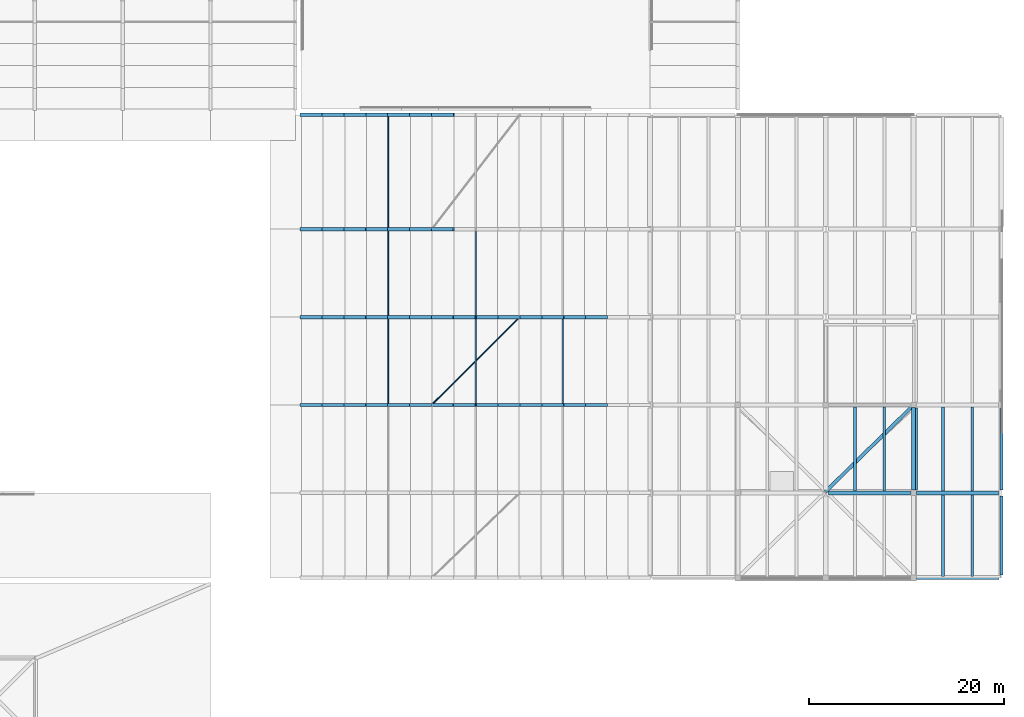
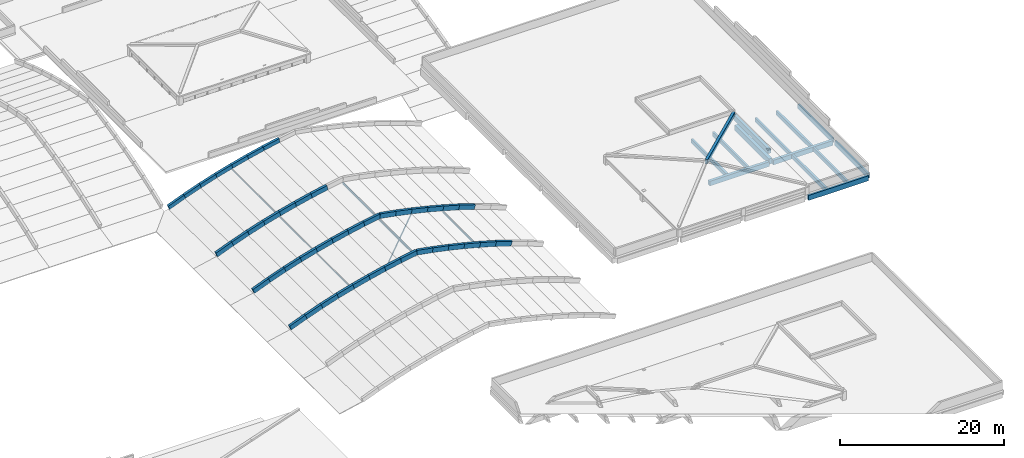
# One storey, part 31 of 56: 56 beams, 7 members.
"""IFC4 building model written with IfcOpenShell, lengths in metres."""

from ifc_helpers import new_model, si_unit, direction, frame, origin, origin_2d, place, context, subcontext, project, spatial, rectangle, hollow_rectangle, hollow_circle, i_section, extrude, material, material_profile, profile_set, type_object, element, save


model = new_model("IFC4")

# Units and contexts
model_context = context("Model", 3, precision=1e-05, world=origin(), true_north=direction((0.0, 1.0)))
body_context = subcontext(model_context, "Body", "Model", "MODEL_VIEW")
ifc_project = project(units=[si_unit("LENGTHUNIT", "METRE"), si_unit("AREAUNIT", "SQUARE_METRE"), si_unit("VOLUMEUNIT", "CUBIC_METRE"), si_unit("PLANEANGLEUNIT", "RADIAN"), si_unit("MASSUNIT", "GRAM", prefix="KILO")], contexts=[model_context])

# Site, building, storey
site_placement = place(None, origin())
site = spatial("IfcSite", under=ifc_project, at=site_placement, CompositionType="ELEMENT")
building_placement = place(site_placement, origin())
building = spatial("IfcBuilding", under=site, at=building_placement, Name="Zacnel Wholesale Market", CompositionType="ELEMENT")
storey_placement = place(building_placement, frame((0.0, 0.0, 20.300048828125)))
storey = spatial("IfcBuildingStorey", under=building, at=storey_placement, Name="RF", CompositionType="ELEMENT", Elevation=20.300048828125)

# Beams
ifc_material_1 = material(Name="Concrete C40/50", Category="concrete")
ifc_material_profile_1 = material_profile(ifc_material_1, rectangle(XDim=0.35009765625, YDim=0.60009765625, at=origin_2d()), Name="ARCH RIB 350x600")
ifc_profile_set_1 = profile_set([ifc_material_profile_1], Name="Concrete C40/50")
beam_type_1 = type_object("IfcBeamType", Name="BM-AR600", PredefinedType="USERDEFINED", material=ifc_profile_set_1)
beam_1_placement = place(storey_placement, frame((144.300048828125, 95.699951171875, -8.830078125), z_axis=(0.930242102492, 0.0, 0.366946359501), x_axis=(0.0, 1.0, 0.0)))
element("IfcBeam", 1, at=beam_1_placement, inside=storey, type_object=beam_type_1, Name="Extrados arch rib east-95.7-S01", ObjectType="ARCH RIB", PredefinedType="USERDEFINED", context=body_context, shape_type="SweptSolid", body=[
    extrude(rectangle(XDim=0.35009765625, YDim=0.60009765625, at=origin_2d()), origin(), (0.0, 0.0, 1.0), 2.3984375),
])
beam_2_placement = place(storey_placement, frame((146.53125, 95.699951171875, -7.949951171875), z_axis=(0.941347429701, 0.0, 0.337438907944), x_axis=(0.0, 1.0, 0.0)))
element("IfcBeam", 2, at=beam_2_placement, inside=storey, type_object=beam_type_1, Name="Extrados arch rib east-95.7-S02", ObjectType="ARCH RIB", PredefinedType="USERDEFINED", context=body_context, shape_type="SweptSolid", body=[
    extrude(rectangle(XDim=0.35009765625, YDim=0.60009765625, at=origin_2d()), origin(), (0.0, 0.0, 1.0), 2.3701171875),
])
beam_3_placement = place(storey_placement, frame((148.762451171875, 95.699951171875, -7.150146484375), z_axis=(0.951659538546, 0.0, 0.307154883885), x_axis=(0.0, 1.0, 0.0)))
element("IfcBeam", 3, at=beam_3_placement, inside=storey, type_object=beam_type_1, Name="Extrados arch rib east-95.7-S03", ObjectType="ARCH RIB", PredefinedType="USERDEFINED", context=body_context, shape_type="SweptSolid", body=[
    extrude(rectangle(XDim=0.35009765625, YDim=0.60009765625, at=origin_2d()), origin(), (0.0, 0.0, 1.0), 2.3447265625),
])
beam_4_placement = place(storey_placement, frame((150.993896484375, 95.699951171875, -6.429931640625), z_axis=(0.961249602226, 0.0, 0.275679528114), x_axis=(0.0, 1.0, 0.0)))
element("IfcBeam", 4, at=beam_4_placement, inside=storey, type_object=beam_type_1, Name="Extrados arch rib east-95.7-S04", ObjectType="ARCH RIB", PredefinedType="USERDEFINED", context=body_context, shape_type="SweptSolid", body=[
    extrude(rectangle(XDim=0.35009765625, YDim=0.60009765625, at=origin_2d()), origin(), (0.0, 0.0, 1.0), 2.321044921875),
])
beam_5_placement = place(storey_placement, frame((153.22509765625, 95.699951171875, -5.7900390625), z_axis=(0.967826117389, 0.0, 0.251619964429), x_axis=(0.0, 1.0, 0.0)))
element("IfcBeam", 5, at=beam_5_placement, inside=storey, type_object=beam_type_1, Name="Extrados arch rib east-95.7-S05", ObjectType="ARCH RIB", PredefinedType="USERDEFINED", context=body_context, shape_type="SweptSolid", body=[
    extrude(rectangle(XDim=0.35009765625, YDim=0.60009765625, at=origin_2d()), origin(), (0.0, 0.0, 1.0), 2.305419921875),
])
beam_6_placement = place(storey_placement, frame((155.456298828125, 95.699951171875, -5.2099609375), z_axis=(0.973898559906, 0.0, 0.226983688872), x_axis=(0.0, 1.0, 0.0)))
element("IfcBeam", 6, at=beam_6_placement, inside=storey, type_object=beam_type_1, Name="Extrados arch rib east-95.7-S06", ObjectType="ARCH RIB", PredefinedType="USERDEFINED", context=body_context, shape_type="SweptSolid", body=[
    extrude(rectangle(XDim=0.35009765625, YDim=0.60009765625, at=origin_2d()), origin(), (0.0, 0.0, 1.0), 2.291015625),
])
beam_7_placement = place(storey_placement, frame((157.6875, 95.699951171875, -4.68994140625), z_axis=(0.979405339386, 0.0, 0.201903890951), x_axis=(0.0, 1.0, 0.0)))
element("IfcBeam", 7, at=beam_7_placement, inside=storey, type_object=beam_type_1, Name="Extrados arch rib east-95.7-S07", ObjectType="ARCH RIB", PredefinedType="USERDEFINED", context=body_context, shape_type="SweptSolid", body=[
    extrude(rectangle(XDim=0.35009765625, YDim=0.60009765625, at=origin_2d()), origin(), (0.0, 0.0, 1.0), 2.278076171875),
])
beam_8_placement = place(storey_placement, frame((207.0, 66.0, 1.22998046875), z_axis=(-0.709267745577, -0.697454312531, 0.102453633496), x_axis=(0.701143885193, -0.713019811966, 0.0)))
element("IfcBeam", 8, at=beam_8_placement, inside=storey, type_object=beam_type_1, Name="Hipped crown rib STR-ROOF-V1ELAN-3", ObjectType="ARCH RIB", PredefinedType="USERDEFINED", context=body_context, shape_type="SweptSolid", body=[
    extrude(rectangle(XDim=0.35009765625, YDim=0.60009765625, at=origin_2d()), origin(), (0.0, 0.0, 1.0), 12.689208984375),
])
ifc_material_2 = material(Name="Concrete C40/50", Category="concrete")
ifc_material_profile_2 = material_profile(ifc_material_2, rectangle(XDim=0.35009765625, YDim=0.699951171875, at=origin_2d()), Name="ARCH RIB 350x700")
ifc_profile_set_2 = profile_set([ifc_material_profile_2], Name="Concrete C40/50")
beam_type_2 = type_object("IfcBeamType", Name="BM-AR700", PredefinedType="USERDEFINED", material=ifc_profile_set_2)
beam_9_placement = place(storey_placement, frame((144.300048828125, 66.0, -8.780029296875), z_axis=(0.930276844905, 0.0, 0.366858272135), x_axis=(0.0, 1.0, 0.0)))
element("IfcBeam", 9, at=beam_9_placement, inside=storey, type_object=beam_type_2, Name="Extrados arch rib east-66.0-S01", ObjectType="ARCH RIB", PredefinedType="USERDEFINED", context=body_context, shape_type="SweptSolid", body=[
    extrude(rectangle(XDim=0.35009765625, YDim=0.699951171875, at=origin_2d()), origin(), (0.0, 0.0, 1.0), 2.3984375),
])
beam_10_placement = place(storey_placement, frame((146.53125, 66.0, -7.900146484375), z_axis=(0.94131470769, 0.0, 0.337530178039), x_axis=(0.0, 1.0, 0.0)))
element("IfcBeam", 10, at=beam_10_placement, inside=storey, type_object=beam_type_2, Name="Extrados arch rib east-66.0-S02", ObjectType="ARCH RIB", PredefinedType="USERDEFINED", context=body_context, shape_type="SweptSolid", body=[
    extrude(rectangle(XDim=0.35009765625, YDim=0.699951171875, at=origin_2d()), origin(), (0.0, 0.0, 1.0), 2.370361328125),
])
beam_11_placement = place(storey_placement, frame((148.762451171875, 66.0, -7.10009765625), z_axis=(0.951689969926, 0.0, 0.307060582201), x_axis=(0.0, 1.0, 0.0)))
element("IfcBeam", 11, at=beam_11_placement, inside=storey, type_object=beam_type_2, Name="Extrados arch rib east-66.0-S03", ObjectType="ARCH RIB", PredefinedType="USERDEFINED", context=body_context, shape_type="SweptSolid", body=[
    extrude(rectangle(XDim=0.35009765625, YDim=0.699951171875, at=origin_2d()), origin(), (0.0, 0.0, 1.0), 2.3447265625),
])
beam_12_placement = place(storey_placement, frame((150.993896484375, 66.0, -6.380126953125), z_axis=(0.961221725476, 0.0, 0.275776711259), x_axis=(0.0, 1.0, 0.0)))
element("IfcBeam", 12, at=beam_12_placement, inside=storey, type_object=beam_type_2, Name="Extrados arch rib east-66.0-S04", ObjectType="ARCH RIB", PredefinedType="USERDEFINED", context=body_context, shape_type="SweptSolid", body=[
    extrude(rectangle(XDim=0.35009765625, YDim=0.699951171875, at=origin_2d()), origin(), (0.0, 0.0, 1.0), 2.3212890625),
])
beam_13_placement = place(storey_placement, frame((153.22509765625, 66.0, -5.739990234375), z_axis=(0.967851902384, 0.0, 0.251520764653), x_axis=(0.0, 1.0, 0.0)))
element("IfcBeam", 13, at=beam_13_placement, inside=storey, type_object=beam_type_2, Name="Extrados arch rib east-66.0-S05", ObjectType="ARCH RIB", PredefinedType="USERDEFINED", context=body_context, shape_type="SweptSolid", body=[
    extrude(rectangle(XDim=0.35009765625, YDim=0.699951171875, at=origin_2d()), origin(), (0.0, 0.0, 1.0), 2.305419921875),
])
beam_14_placement = place(storey_placement, frame((155.456298828125, 66.0, -5.16015625), z_axis=(0.973898559906, 0.0, 0.226983688872), x_axis=(0.0, 1.0, 0.0)))
element("IfcBeam", 14, at=beam_14_placement, inside=storey, type_object=beam_type_2, Name="Extrados arch rib east-66.0-S06", ObjectType="ARCH RIB", PredefinedType="USERDEFINED", context=body_context, shape_type="SweptSolid", body=[
    extrude(rectangle(XDim=0.35009765625, YDim=0.699951171875, at=origin_2d()), origin(), (0.0, 0.0, 1.0), 2.291015625),
])
beam_15_placement = place(storey_placement, frame((157.6875, 66.0, -4.64013671875), z_axis=(0.979384142499, 0.0, 0.202006686575), x_axis=(0.0, 1.0, 0.0)))
element("IfcBeam", 15, at=beam_15_placement, inside=storey, type_object=beam_type_2, Name="Extrados arch rib east-66.0-S07", ObjectType="ARCH RIB", PredefinedType="USERDEFINED", context=body_context, shape_type="SweptSolid", body=[
    extrude(rectangle(XDim=0.35009765625, YDim=0.699951171875, at=origin_2d()), origin(), (0.0, 0.0, 1.0), 2.278076171875),
])
for number, where, z_axis, x_axis, name in (
    (16, (159.918701171875, 66.0, -4.179931640625), (0.984314876249, 0.0, 0.176420589484), (0.0, 1.0, 0.0), "Extrados arch rib east-66.0-S08"),
    (17, (162.14990234375, 66.0, -3.780029296875), (0.984314876249, 0.0, -0.176420589484), (0.0, 1.0, 0.0), "Extrados arch rib east-66.0-S09"),
):
    element("IfcBeam", number, at=place(storey_placement, frame(where, z_axis=z_axis, x_axis=x_axis)), inside=storey, type_object=beam_type_2, Name=name, ObjectType="ARCH RIB", PredefinedType="USERDEFINED", context=body_context, shape_type="SweptSolid", body=[
        extrude(rectangle(XDim=0.35009765625, YDim=0.699951171875, at=origin_2d()), origin(), (0.0, 0.0, 1.0), 2.266845703125),
    ])
beam_16_placement = place(storey_placement, frame((164.381103515625, 66.0, -4.179931640625), z_axis=(0.979388514875, 0.0, -0.20198548693), x_axis=(0.0, 1.0, 0.0)))
element("IfcBeam", 18, at=beam_16_placement, inside=storey, type_object=beam_type_2, Name="Extrados arch rib east-66.0-S10", ObjectType="ARCH RIB", PredefinedType="USERDEFINED", context=body_context, shape_type="SweptSolid", body=[
    extrude(rectangle(XDim=0.35009765625, YDim=0.699951171875, at=origin_2d()), origin(), (0.0, 0.0, 1.0), 2.2783203125),
])
beam_17_placement = place(storey_placement, frame((166.612548828125, 66.0, -4.64013671875), z_axis=(0.973898559906, 0.0, -0.226983688872), x_axis=(0.0, 1.0, 0.0)))
element("IfcBeam", 19, at=beam_17_placement, inside=storey, type_object=beam_type_2, Name="Extrados arch rib east-66.0-S11", ObjectType="ARCH RIB", PredefinedType="USERDEFINED", context=body_context, shape_type="SweptSolid", body=[
    extrude(rectangle(XDim=0.35009765625, YDim=0.699951171875, at=origin_2d()), origin(), (0.0, 0.0, 1.0), 2.291015625),
])
beam_18_placement = place(storey_placement, frame((168.84375, 66.0, -5.16015625), z_axis=(0.967851902384, 0.0, -0.251520764653), x_axis=(0.0, 1.0, 0.0)))
element("IfcBeam", 20, at=beam_18_placement, inside=storey, type_object=beam_type_2, Name="Extrados arch rib east-66.0-S12", ObjectType="ARCH RIB", PredefinedType="USERDEFINED", context=body_context, shape_type="SweptSolid", body=[
    extrude(rectangle(XDim=0.35009765625, YDim=0.699951171875, at=origin_2d()), origin(), (0.0, 0.0, 1.0), 2.305419921875),
])
beam_19_placement = place(storey_placement, frame((171.074951171875, 66.0, -5.739990234375), z_axis=(0.961229723344, 0.0, -0.275748833108), x_axis=(0.0, 1.0, 0.0)))
element("IfcBeam", 21, at=beam_19_placement, inside=storey, type_object=beam_type_2, Name="Extrados arch rib east-66.0-S13", ObjectType="ARCH RIB", PredefinedType="USERDEFINED", context=body_context, shape_type="SweptSolid", body=[
    extrude(rectangle(XDim=0.35009765625, YDim=0.699951171875, at=origin_2d()), origin(), (0.0, 0.0, 1.0), 2.321533203125),
])
beam_20_placement = place(storey_placement, frame((173.306396484375, 66.0, -6.380126953125), z_axis=(0.951680151046, 0.0, -0.30709101274), x_axis=(0.0, 1.0, 0.0)))
element("IfcBeam", 22, at=beam_20_placement, inside=storey, type_object=beam_type_2, Name="Extrados arch rib east-66.0-S14", ObjectType="ARCH RIB", PredefinedType="USERDEFINED", context=body_context, shape_type="SweptSolid", body=[
    extrude(rectangle(XDim=0.35009765625, YDim=0.699951171875, at=origin_2d()), origin(), (0.0, 0.0, 1.0), 2.344482421875),
])
beam_21_placement = place(storey_placement, frame((144.300048828125, 75.0, -8.780029296875), z_axis=(0.930276844905, 0.0, 0.366858272135), x_axis=(0.0, 1.0, 0.0)))
element("IfcBeam", 23, at=beam_21_placement, inside=storey, type_object=beam_type_2, Name="Extrados arch rib east-75.0-S01", ObjectType="ARCH RIB", PredefinedType="USERDEFINED", context=body_context, shape_type="SweptSolid", body=[
    extrude(rectangle(XDim=0.35009765625, YDim=0.699951171875, at=origin_2d()), origin(), (0.0, 0.0, 1.0), 2.3984375),
])
beam_22_placement = place(storey_placement, frame((146.53125, 75.0, -7.900146484375), z_axis=(0.94131470769, 0.0, 0.337530178039), x_axis=(0.0, 1.0, 0.0)))
element("IfcBeam", 24, at=beam_22_placement, inside=storey, type_object=beam_type_2, Name="Extrados arch rib east-75.0-S02", ObjectType="ARCH RIB", PredefinedType="USERDEFINED", context=body_context, shape_type="SweptSolid", body=[
    extrude(rectangle(XDim=0.35009765625, YDim=0.699951171875, at=origin_2d()), origin(), (0.0, 0.0, 1.0), 2.370361328125),
])
beam_23_placement = place(storey_placement, frame((148.762451171875, 75.0, -7.10009765625), z_axis=(0.951689969926, 0.0, 0.307060582201), x_axis=(0.0, 1.0, 0.0)))
element("IfcBeam", 25, at=beam_23_placement, inside=storey, type_object=beam_type_2, Name="Extrados arch rib east-75.0-S03", ObjectType="ARCH RIB", PredefinedType="USERDEFINED", context=body_context, shape_type="SweptSolid", body=[
    extrude(rectangle(XDim=0.35009765625, YDim=0.699951171875, at=origin_2d()), origin(), (0.0, 0.0, 1.0), 2.3447265625),
])
beam_24_placement = place(storey_placement, frame((150.993896484375, 75.0, -6.380126953125), z_axis=(0.961221725476, 0.0, 0.275776711259), x_axis=(0.0, 1.0, 0.0)))
element("IfcBeam", 26, at=beam_24_placement, inside=storey, type_object=beam_type_2, Name="Extrados arch rib east-75.0-S04", ObjectType="ARCH RIB", PredefinedType="USERDEFINED", context=body_context, shape_type="SweptSolid", body=[
    extrude(rectangle(XDim=0.35009765625, YDim=0.699951171875, at=origin_2d()), origin(), (0.0, 0.0, 1.0), 2.3212890625),
])
beam_25_placement = place(storey_placement, frame((153.22509765625, 75.0, -5.739990234375), z_axis=(0.967851902384, 0.0, 0.251520764653), x_axis=(0.0, 1.0, 0.0)))
element("IfcBeam", 27, at=beam_25_placement, inside=storey, type_object=beam_type_2, Name="Extrados arch rib east-75.0-S05", ObjectType="ARCH RIB", PredefinedType="USERDEFINED", context=body_context, shape_type="SweptSolid", body=[
    extrude(rectangle(XDim=0.35009765625, YDim=0.699951171875, at=origin_2d()), origin(), (0.0, 0.0, 1.0), 2.305419921875),
])
beam_26_placement = place(storey_placement, frame((155.456298828125, 75.0, -5.16015625), z_axis=(0.973898559906, 0.0, 0.226983688872), x_axis=(0.0, 1.0, 0.0)))
element("IfcBeam", 28, at=beam_26_placement, inside=storey, type_object=beam_type_2, Name="Extrados arch rib east-75.0-S06", ObjectType="ARCH RIB", PredefinedType="USERDEFINED", context=body_context, shape_type="SweptSolid", body=[
    extrude(rectangle(XDim=0.35009765625, YDim=0.699951171875, at=origin_2d()), origin(), (0.0, 0.0, 1.0), 2.291015625),
])
beam_27_placement = place(storey_placement, frame((157.6875, 75.0, -4.64013671875), z_axis=(0.979384142499, 0.0, 0.202006686575), x_axis=(0.0, 1.0, 0.0)))
element("IfcBeam", 29, at=beam_27_placement, inside=storey, type_object=beam_type_2, Name="Extrados arch rib east-75.0-S07", ObjectType="ARCH RIB", PredefinedType="USERDEFINED", context=body_context, shape_type="SweptSolid", body=[
    extrude(rectangle(XDim=0.35009765625, YDim=0.699951171875, at=origin_2d()), origin(), (0.0, 0.0, 1.0), 2.278076171875),
])
for number, where, z_axis, x_axis, name in (
    (30, (159.918701171875, 75.0, -4.179931640625), (0.984314876249, 0.0, 0.176420589484), (0.0, 1.0, 0.0), "Extrados arch rib east-75.0-S08"),
    (31, (162.14990234375, 75.0, -3.780029296875), (0.984314876249, 0.0, -0.176420589484), (0.0, 1.0, 0.0), "Extrados arch rib east-75.0-S09"),
):
    element("IfcBeam", number, at=place(storey_placement, frame(where, z_axis=z_axis, x_axis=x_axis)), inside=storey, type_object=beam_type_2, Name=name, ObjectType="ARCH RIB", PredefinedType="USERDEFINED", context=body_context, shape_type="SweptSolid", body=[
        extrude(rectangle(XDim=0.35009765625, YDim=0.699951171875, at=origin_2d()), origin(), (0.0, 0.0, 1.0), 2.266845703125),
    ])
beam_28_placement = place(storey_placement, frame((164.381103515625, 75.0, -4.179931640625), z_axis=(0.979388514875, 0.0, -0.20198548693), x_axis=(0.0, 1.0, 0.0)))
element("IfcBeam", 32, at=beam_28_placement, inside=storey, type_object=beam_type_2, Name="Extrados arch rib east-75.0-S10", ObjectType="ARCH RIB", PredefinedType="USERDEFINED", context=body_context, shape_type="SweptSolid", body=[
    extrude(rectangle(XDim=0.35009765625, YDim=0.699951171875, at=origin_2d()), origin(), (0.0, 0.0, 1.0), 2.2783203125),
])
beam_29_placement = place(storey_placement, frame((166.612548828125, 75.0, -4.64013671875), z_axis=(0.973898559906, 0.0, -0.226983688872), x_axis=(0.0, 1.0, 0.0)))
element("IfcBeam", 33, at=beam_29_placement, inside=storey, type_object=beam_type_2, Name="Extrados arch rib east-75.0-S11", ObjectType="ARCH RIB", PredefinedType="USERDEFINED", context=body_context, shape_type="SweptSolid", body=[
    extrude(rectangle(XDim=0.35009765625, YDim=0.699951171875, at=origin_2d()), origin(), (0.0, 0.0, 1.0), 2.291015625),
])
beam_30_placement = place(storey_placement, frame((168.84375, 75.0, -5.16015625), z_axis=(0.967851902384, 0.0, -0.251520764653), x_axis=(0.0, 1.0, 0.0)))
element("IfcBeam", 34, at=beam_30_placement, inside=storey, type_object=beam_type_2, Name="Extrados arch rib east-75.0-S12", ObjectType="ARCH RIB", PredefinedType="USERDEFINED", context=body_context, shape_type="SweptSolid", body=[
    extrude(rectangle(XDim=0.35009765625, YDim=0.699951171875, at=origin_2d()), origin(), (0.0, 0.0, 1.0), 2.305419921875),
])
beam_31_placement = place(storey_placement, frame((171.074951171875, 75.0, -5.739990234375), z_axis=(0.961229723344, 0.0, -0.275748833108), x_axis=(0.0, 1.0, 0.0)))
element("IfcBeam", 35, at=beam_31_placement, inside=storey, type_object=beam_type_2, Name="Extrados arch rib east-75.0-S13", ObjectType="ARCH RIB", PredefinedType="USERDEFINED", context=body_context, shape_type="SweptSolid", body=[
    extrude(rectangle(XDim=0.35009765625, YDim=0.699951171875, at=origin_2d()), origin(), (0.0, 0.0, 1.0), 2.321533203125),
])
beam_32_placement = place(storey_placement, frame((173.306396484375, 75.0, -6.380126953125), z_axis=(0.951680151046, 0.0, -0.30709101274), x_axis=(0.0, 1.0, 0.0)))
element("IfcBeam", 36, at=beam_32_placement, inside=storey, type_object=beam_type_2, Name="Extrados arch rib east-75.0-S14", ObjectType="ARCH RIB", PredefinedType="USERDEFINED", context=body_context, shape_type="SweptSolid", body=[
    extrude(rectangle(XDim=0.35009765625, YDim=0.699951171875, at=origin_2d()), origin(), (0.0, 0.0, 1.0), 2.344482421875),
])
beam_33_placement = place(storey_placement, frame((144.300048828125, 84.0, -8.780029296875), z_axis=(0.930276844905, 0.0, 0.366858272135), x_axis=(0.0, 1.0, 0.0)))
element("IfcBeam", 37, at=beam_33_placement, inside=storey, type_object=beam_type_2, Name="Extrados arch rib east-84.0-S01", ObjectType="ARCH RIB", PredefinedType="USERDEFINED", context=body_context, shape_type="SweptSolid", body=[
    extrude(rectangle(XDim=0.35009765625, YDim=0.699951171875, at=origin_2d()), origin(), (0.0, 0.0, 1.0), 2.3984375),
])
beam_34_placement = place(storey_placement, frame((146.53125, 84.0, -7.900146484375), z_axis=(0.94131470769, 0.0, 0.337530178039), x_axis=(0.0, 1.0, 0.0)))
element("IfcBeam", 38, at=beam_34_placement, inside=storey, type_object=beam_type_2, Name="Extrados arch rib east-84.0-S02", ObjectType="ARCH RIB", PredefinedType="USERDEFINED", context=body_context, shape_type="SweptSolid", body=[
    extrude(rectangle(XDim=0.35009765625, YDim=0.699951171875, at=origin_2d()), origin(), (0.0, 0.0, 1.0), 2.370361328125),
])
beam_35_placement = place(storey_placement, frame((148.762451171875, 84.0, -7.10009765625), z_axis=(0.951689969926, 0.0, 0.307060582201), x_axis=(0.0, 1.0, 0.0)))
element("IfcBeam", 39, at=beam_35_placement, inside=storey, type_object=beam_type_2, Name="Extrados arch rib east-84.0-S03", ObjectType="ARCH RIB", PredefinedType="USERDEFINED", context=body_context, shape_type="SweptSolid", body=[
    extrude(rectangle(XDim=0.35009765625, YDim=0.699951171875, at=origin_2d()), origin(), (0.0, 0.0, 1.0), 2.3447265625),
])
beam_36_placement = place(storey_placement, frame((150.993896484375, 84.0, -6.380126953125), z_axis=(0.961221725476, 0.0, 0.275776711259), x_axis=(0.0, 1.0, 0.0)))
element("IfcBeam", 40, at=beam_36_placement, inside=storey, type_object=beam_type_2, Name="Extrados arch rib east-84.0-S04", ObjectType="ARCH RIB", PredefinedType="USERDEFINED", context=body_context, shape_type="SweptSolid", body=[
    extrude(rectangle(XDim=0.35009765625, YDim=0.699951171875, at=origin_2d()), origin(), (0.0, 0.0, 1.0), 2.3212890625),
])
beam_37_placement = place(storey_placement, frame((153.22509765625, 84.0, -5.739990234375), z_axis=(0.967851902384, 0.0, 0.251520764653), x_axis=(0.0, 1.0, 0.0)))
element("IfcBeam", 41, at=beam_37_placement, inside=storey, type_object=beam_type_2, Name="Extrados arch rib east-84.0-S05", ObjectType="ARCH RIB", PredefinedType="USERDEFINED", context=body_context, shape_type="SweptSolid", body=[
    extrude(rectangle(XDim=0.35009765625, YDim=0.699951171875, at=origin_2d()), origin(), (0.0, 0.0, 1.0), 2.305419921875),
])
beam_38_placement = place(storey_placement, frame((155.456298828125, 84.0, -5.16015625), z_axis=(0.973898559906, 0.0, 0.226983688872), x_axis=(0.0, 1.0, 0.0)))
element("IfcBeam", 42, at=beam_38_placement, inside=storey, type_object=beam_type_2, Name="Extrados arch rib east-84.0-S06", ObjectType="ARCH RIB", PredefinedType="USERDEFINED", context=body_context, shape_type="SweptSolid", body=[
    extrude(rectangle(XDim=0.35009765625, YDim=0.699951171875, at=origin_2d()), origin(), (0.0, 0.0, 1.0), 2.291015625),
])
beam_39_placement = place(storey_placement, frame((157.6875, 84.0, -4.64013671875), z_axis=(0.979384142499, 0.0, 0.202006686575), x_axis=(0.0, 1.0, 0.0)))
element("IfcBeam", 43, at=beam_39_placement, inside=storey, type_object=beam_type_2, Name="Extrados arch rib east-84.0-S07", ObjectType="ARCH RIB", PredefinedType="USERDEFINED", context=body_context, shape_type="SweptSolid", body=[
    extrude(rectangle(XDim=0.35009765625, YDim=0.699951171875, at=origin_2d()), origin(), (0.0, 0.0, 1.0), 2.278076171875),
])
ifc_material_3 = material(Name="Precast concrete C45/55", Category="concrete")
ifc_material_profile_3 = material_profile(ifc_material_3, rectangle(XDim=0.280029296875, YDim=0.60009765625, at=origin_2d()), Name="DT RIB 280x600")
ifc_profile_set_3 = profile_set([ifc_material_profile_3], Name="Precast concrete C45/55")
beam_type_3 = type_object("IfcBeamType", Name="BM-DT600", PredefinedType="JOIST", material=ifc_profile_set_3)
for number, where, z_axis, x_axis, name in (
    (44, (210.0, 48.449951171875, -0.60009765625), (0.0, 1.0, 0.0), (-1.0, 0.0, 0.0), "Precast secondary joist RF-0847"),
    (45, (213.0, 48.449951171875, -0.60009765625), (0.0, 1.0, 0.0), (-1.0, 0.0, 0.0), "Precast secondary joist RF-0848"),
):
    element("IfcBeam", number, at=place(storey_placement, frame(where, z_axis=z_axis, x_axis=x_axis)), inside=storey, type_object=beam_type_3, Name=name, PredefinedType="JOIST", context=body_context, shape_type="SweptSolid", body=[
        extrude(rectangle(XDim=0.280029296875, YDim=0.60009765625, at=origin_2d()), origin(), (0.0, 0.0, 1.0), 8.35009765625),
    ])
for number, where, z_axis, x_axis, name in (
    (46, (201.0, 57.199951171875, -0.60009765625), (0.0, 1.0, 0.0), (-1.0, 0.0, 0.0), "Precast secondary joist RF-0865"),
    (47, (204.0, 57.199951171875, -0.60009765625), (0.0, 1.0, 0.0), (-1.0, 0.0, 0.0), "Precast secondary joist RF-0866"),
    (48, (210.0, 57.199951171875, -0.60009765625), (0.0, 1.0, 0.0), (-1.0, 0.0, 0.0), "Precast secondary joist RF-0867"),
    (49, (213.0, 57.199951171875, -0.60009765625), (0.0, 1.0, 0.0), (-1.0, 0.0, 0.0), "Precast secondary joist RF-0868"),
):
    element("IfcBeam", number, at=place(storey_placement, frame(where, z_axis=z_axis, x_axis=x_axis)), inside=storey, type_object=beam_type_3, Name=name, PredefinedType="JOIST", context=body_context, shape_type="SweptSolid", body=[
        extrude(rectangle(XDim=0.280029296875, YDim=0.60009765625, at=origin_2d()), origin(), (0.0, 0.0, 1.0), 8.60009765625),
    ])
ifc_material_4 = material(Name="Precast concrete C45/55", Category="concrete")
ifc_material_profile_4 = material_profile(ifc_material_4, rectangle(XDim=0.39990234375, YDim=0.699951171875, at=origin_2d()), Name="PG 400x700")
ifc_profile_set_4 = profile_set([ifc_material_profile_4], Name="Precast concrete C45/55")
beam_type_4 = type_object("IfcBeamType", Name="BM-PG700", PredefinedType="BEAM", material=ifc_profile_set_4)
for number, where, z_axis, x_axis, name in (
    (50, (198.300048828125, 57.0, -0.650146484375), (1.0, 0.0, 0.0), (0.0, 1.0, 0.0), "Precast girder X-1372"),
    (51, (207.300048828125, 57.0, -0.650146484375), (1.0, 0.0, 0.0), (0.0, 1.0, 0.0), "Precast girder X-1373"),
):
    element("IfcBeam", number, at=place(storey_placement, frame(where, z_axis=z_axis, x_axis=x_axis)), inside=storey, type_object=beam_type_4, Name=name, PredefinedType="BEAM", context=body_context, shape_type="SweptSolid", body=[
        extrude(rectangle(XDim=0.39990234375, YDim=0.699951171875, at=origin_2d()), origin(), (0.0, 0.0, 1.0), 8.39990234375),
    ])
beam_40_placement = place(storey_placement, frame((207.0, 57.280029296875, 0.89990234375), z_axis=(0.0, 1.0, 0.0), x_axis=(-1.0, 0.0, 0.0)))
element("IfcBeam", 52, at=beam_40_placement, inside=storey, type_object=beam_type_4, Name="Attic crown girder Y V1ELAN-08", PredefinedType="BEAM", context=body_context, shape_type="SweptSolid", body=[
    extrude(rectangle(XDim=0.39990234375, YDim=0.699951171875, at=origin_2d()), origin(), (0.0, 0.0, 1.0), 8.43994140625),
])
ifc_material_5 = material(Name="Precast concrete C45/55", Category="concrete")
ifc_material_profile_5 = material_profile(ifc_material_5, rectangle(XDim=0.449951171875, YDim=0.800048828125, at=origin_2d()), Name="PG 450x800")
ifc_profile_set_5 = profile_set([ifc_material_profile_5], Name="Precast concrete C45/55")
beam_type_5 = type_object("IfcBeamType", Name="BM-PG800", PredefinedType="BEAM", material=ifc_profile_set_5)
beam_41_placement = place(storey_placement, frame((207.179931640625, 57.300048828125, -0.699951171875), z_axis=(0.0, 1.0, 0.0), x_axis=(-1.0, 0.0, 0.0)))
element("IfcBeam", 53, at=beam_41_placement, inside=storey, type_object=beam_type_5, Name="Precast girder Y-1537", PredefinedType="BEAM", context=body_context, shape_type="SweptSolid", body=[
    extrude(rectangle(XDim=0.449951171875, YDim=0.800048828125, at=origin_2d()), origin(), (0.0, 0.0, 1.0), 8.39990234375),
])
ifc_material_6 = material(Name="Precast concrete C45/55", Category="concrete")
ifc_material_profile_6 = material_profile(ifc_material_6, rectangle(XDim=0.280029296875, YDim=0.679931640625, at=origin_2d()), Name="SP 280x680")
ifc_profile_set_6 = profile_set([ifc_material_profile_6], Name="Precast concrete C45/55")
beam_type_6 = type_object("IfcBeamType", Name="BM-SP680", PredefinedType="SPANDREL", material=ifc_profile_set_6)
beam_42_placement = place(storey_placement, frame((216.0, 48.574951171875, -0.64013671875), z_axis=(0.0, 1.0, 0.0), x_axis=(-1.0, 0.0, 0.0)))
element("IfcBeam", 54, at=beam_42_placement, inside=storey, type_object=beam_type_6, Name="Precast girder Y-1541", PredefinedType="SPANDREL", context=body_context, shape_type="SweptSolid", body=[
    extrude(rectangle(XDim=0.280029296875, YDim=0.679931640625, at=origin_2d()), origin(), (0.0, 0.0, 1.0), 8.125),
])
beam_43_placement = place(storey_placement, frame((216.0, 57.300048828125, -0.64013671875), z_axis=(0.0, 1.0, 0.0), x_axis=(-1.0, 0.0, 0.0)))
element("IfcBeam", 55, at=beam_43_placement, inside=storey, type_object=beam_type_6, Name="Precast girder Y-1542", PredefinedType="SPANDREL", context=body_context, shape_type="SweptSolid", body=[
    extrude(rectangle(XDim=0.280029296875, YDim=0.679931640625, at=origin_2d()), origin(), (0.0, 0.0, 1.0), 8.39990234375),
])
ifc_material_7 = material(Name="Precast concrete C45/55", Category="concrete")
ifc_material_profile_7 = material_profile(ifc_material_7, rectangle(XDim=0.300048828125, YDim=0.75, at=origin_2d()), Name="SP 300x750")
ifc_profile_set_7 = profile_set([ifc_material_profile_7], Name="Precast concrete C45/55")
beam_type_7 = type_object("IfcBeamType", Name="BM-SP750", PredefinedType="SPANDREL", material=ifc_profile_set_7)
beam_44_placement = place(storey_placement, frame((207.27490234375, 48.300048828125, -0.675048828125), z_axis=(1.0, 0.0, 0.0), x_axis=(0.0, 1.0, 0.0)))
element("IfcBeam", 56, at=beam_44_placement, inside=storey, type_object=beam_type_7, Name="Precast girder X-1363", PredefinedType="SPANDREL", context=body_context, shape_type="SweptSolid", body=[
    extrude(rectangle(XDim=0.300048828125, YDim=0.75, at=origin_2d()), origin(), (0.0, 0.0, 1.0), 8.4501953125),
])

# Members
ifc_material_8 = material(Name="Steel S355", Category="steel")
ifc_material_profile_8 = material_profile(ifc_material_8, hollow_circle(Radius=0.084228515625, WallThickness=0.008056640625, at=origin_2d()), Name="CHS 168.3x8")
ifc_profile_set_8 = profile_set([ifc_material_profile_8], Name="Steel S355")
member_type_1 = type_object("IfcMemberType", Name="MEM-BRC-CHS168", PredefinedType="BRACE", material=ifc_profile_set_8)
member_1_placement = place(storey_placement, frame((157.6875, 66.0400390625, -5.06005859375), z_axis=(0.707309907459, 0.706903596546, 0.0), x_axis=(-0.706903596546, 0.707309907459, 0.0)))
element("IfcMember", 57, at=member_1_placement, inside=storey, type_object=member_type_1, Name="Shell diaphragm brace 015", PredefinedType="BRACE", context=body_context, shape_type="SweptSolid", body=[
    extrude(hollow_circle(Radius=0.084228515625, WallThickness=0.008056640625, at=origin_2d()), origin(), (0.0, 0.0, 1.0), 12.618408203125),
])
ifc_material_9 = material(Name="Steel S355", Category="steel")
ifc_material_profile_9 = material_profile(ifc_material_9, hollow_rectangle(XDim=0.10009765625, YDim=0.14990234375, WallThickness=0.008056640625, InnerFilletRadius=0.008056640625, OuterFilletRadius=0.01611328125, at=origin_2d()), Name="HSS 150x100x8")
ifc_profile_set_9 = profile_set([ifc_material_profile_9], Name="Steel S355")
member_type_2 = type_object("IfcMemberType", Name="MEM-PUR-HSS150", PredefinedType="PURLIN", material=ifc_profile_set_9)
for number, where, z_axis, x_axis, name in (
    (58, (153.22509765625, 66.02001953125, -6.27001953125), (0.0, 1.0, 0.0), (-1.0, 0.0, 0.0), "Shell longitudinal tie purlin 0034"),
    (59, (153.22509765625, 75.02001953125, -6.27001953125), (0.0, 1.0, 0.0), (-1.0, 0.0, 0.0), "Shell longitudinal tie purlin 0037"),
):
    element("IfcMember", number, at=place(storey_placement, frame(where, z_axis=z_axis, x_axis=x_axis)), inside=storey, type_object=member_type_2, Name=name, PredefinedType="PURLIN", context=body_context, shape_type="SweptSolid", body=[
        extrude(hollow_rectangle(XDim=0.10009765625, YDim=0.14990234375, WallThickness=0.008056640625, InnerFilletRadius=0.008056640625, OuterFilletRadius=0.01611328125, at=origin_2d()), origin(), (0.0, 0.0, 1.0), 8.9599609375),
    ])
member_2_placement = place(storey_placement, frame((153.22509765625, 84.02001953125, -6.27001953125), z_axis=(0.0, 1.0, 0.0), x_axis=(-1.0, 0.0, 0.0)))
element("IfcMember", 60, at=member_2_placement, inside=storey, type_object=member_type_2, Name="Shell longitudinal tie purlin 0040", PredefinedType="PURLIN", context=body_context, shape_type="SweptSolid", body=[
    extrude(hollow_rectangle(XDim=0.10009765625, YDim=0.14990234375, WallThickness=0.008056640625, InnerFilletRadius=0.008056640625, OuterFilletRadius=0.01611328125, at=origin_2d()), origin(), (0.0, 0.0, 1.0), 11.659912109375),
])
ifc_material_10 = material(Name="Steel S355", Category="steel")
ifc_material_profile_10 = material_profile(ifc_material_10, i_section(OverallWidth=0.133056640625, OverallDepth=0.20703125, WebThickness=0.005859375, FlangeThickness=0.00830078125, FilletRadius=0.008056640625, at=origin_2d()), Name="W200X26.6")
ifc_profile_set_10 = profile_set([ifc_material_profile_10], Name="Steel S355")
member_type_3 = type_object("IfcMemberType", Name="MEM-PUR-W200", PredefinedType="PURLIN", material=ifc_profile_set_10)
member_3_placement = place(storey_placement, frame((171.074951171875, 66.02001953125, -6.298583984375), z_axis=(0.0, 1.0, 0.0), x_axis=(-1.0, 0.0, 0.0)))
element("IfcMember", 61, at=member_3_placement, inside=storey, type_object=member_type_3, Name="Shell longitudinal tie purlin 0036", PredefinedType="PURLIN", context=body_context, shape_type="SweptSolid", body=[
    extrude(i_section(OverallWidth=0.133056640625, OverallDepth=0.20703125, WebThickness=0.005859375, FlangeThickness=0.00830078125, FilletRadius=0.008056640625, at=origin_2d()), origin(), (0.0, 0.0, 1.0), 8.9599609375),
])
ifc_material_11 = material(Name="Steel S355", Category="steel")
ifc_material_profile_11 = material_profile(ifc_material_11, i_section(OverallWidth=0.14599609375, OverallDepth=0.258056640625, WebThickness=0.006103515625, FlangeThickness=0.009033203125, FilletRadius=0.009033203125, at=origin_2d()), Name="W250X32.7")
ifc_profile_set_11 = profile_set([ifc_material_profile_11], Name="Steel S355")
member_type_4 = type_object("IfcMemberType", Name="MEM-PUR-W250", PredefinedType="PURLIN", material=ifc_profile_set_11)
for number, where, z_axis, x_axis, name in (
    (62, (162.14990234375, 66.02001953125, -4.364013671875), (0.0, 1.0, 0.0), (-1.0, 0.0, 0.0), "Shell longitudinal tie purlin 0035"),
    (63, (162.14990234375, 75.02001953125, -4.364013671875), (0.0, 1.0, 0.0), (-1.0, 0.0, 0.0), "Shell longitudinal tie purlin 0038"),
):
    element("IfcMember", number, at=place(storey_placement, frame(where, z_axis=z_axis, x_axis=x_axis)), inside=storey, type_object=member_type_4, Name=name, PredefinedType="PURLIN", context=body_context, shape_type="SweptSolid", body=[
        extrude(i_section(OverallWidth=0.14599609375, OverallDepth=0.258056640625, WebThickness=0.006103515625, FlangeThickness=0.009033203125, FilletRadius=0.009033203125, at=origin_2d()), origin(), (0.0, 0.0, 1.0), 8.9599609375),
    ])

save(model, "model.ifc")
